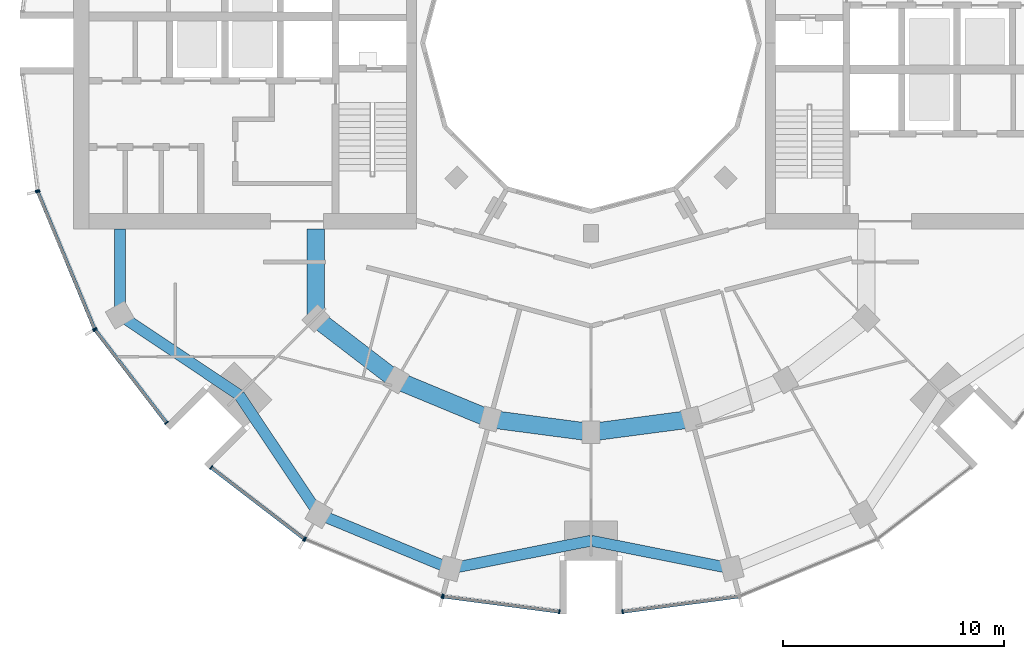
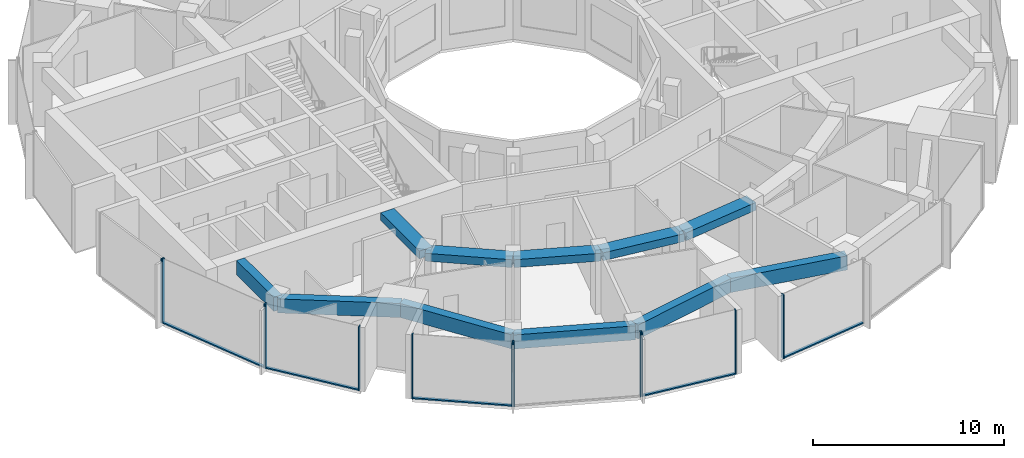
# One storey, part 2 of 15: 17 members, 11 beams, 7 elements without a shape of their own.
"""IFC4 building model written with IfcOpenShell, lengths in metres."""

from ifc_helpers import new_model, si_unit, direction, frame, origin, origin_2d, place, context, subcontext, project, spatial, rectangle, extrude, material, layer, layer_set, material_profile, profile_set, type_object, element, aggregate, save


model = new_model("IFC4")

# Units and contexts
model_context = context("Model", 3, precision=1e-05, world=origin(), true_north=direction((0.0, 1.0)))
body_context = subcontext(model_context, "Body", "Model", "MODEL_VIEW")
ifc_project = project(units=[si_unit("LENGTHUNIT", "METRE"), si_unit("AREAUNIT", "SQUARE_METRE"), si_unit("VOLUMEUNIT", "CUBIC_METRE"), si_unit("PLANEANGLEUNIT", "RADIAN"), si_unit("MASSUNIT", "GRAM", prefix="KILO")], contexts=[model_context])

# Site, building, storey
site_placement = place(None, origin())
site = spatial("IfcSite", under=ifc_project, at=site_placement, CompositionType="ELEMENT")
building_placement = place(site_placement, origin())
building = spatial("IfcBuilding", under=site, at=building_placement, Name="Torre Brocal", CompositionType="ELEMENT")
storey_placement = place(building_placement, frame((0.0, 0.0, 170.0)))
storey = spatial("IfcBuildingStorey", under=building, at=storey_placement, Name="L39", CompositionType="ELEMENT", Elevation=170.0)

# Curtain wall, members
ifc_material_1 = material(Name="Aluminium and glass", Category="aluminium")
ifc_layer_1 = layer(ifc_material_1, 0.199951171875)
ifc_layer_set_1 = layer_set([ifc_layer_1], Name="Aluminium and glass")
curtain_wall_type_1 = type_object("IfcCurtainWallType", Name="CW-1 CURTAIN WALL 4100 HIGH", PredefinedType="NOTDEFINED", material=ifc_layer_set_1)
curtain_wall_1_placement = place(storey_placement, origin())
curtain_wall_1 = element("IfcCurtainWall", 1, at=curtain_wall_1_placement, inside=storey, type_object=curtain_wall_type_1, Name="CW-1 RUN 14", PredefinedType="NOTDEFINED")
ifc_material_2 = material(Name="Aluminium, dark anodised", Category="aluminium")
ifc_material_profile_1 = material_profile(ifc_material_2, rectangle(XDim=0.199951171875, YDim=0.06005859375, at=origin_2d()), Name="CW-1 MULLION 60X200")
ifc_profile_set_1 = profile_set([ifc_material_profile_1], Name="Aluminium, dark anodised")
member_type_1 = type_object("IfcMemberType", Name="CW-1 MULLION 60X200", PredefinedType="MULLION", material=ifc_profile_set_1)
member_1_placement = place(storey_placement, frame((54.994873046875, 68.26904296875, 0.0), z_axis=(0.0, 0.0, 1.0), x_axis=(0.923879532525, 0.382683432333, 0.0)))
member_1 = element("IfcMember", 2, at=member_1_placement, type_object=member_type_1, Name="CW1-4 mullion 1", PredefinedType="MULLION", context=body_context, shape_type="SweptSolid", body=[
    extrude(rectangle(XDim=0.199951171875, YDim=0.06005859375, at=origin_2d()), origin(), (0.0, 0.0, 1.0), 4.10009765625),
])
member_2_placement = place(storey_placement, frame((57.559326171875, 62.078125, 0.0), z_axis=(0.0, 0.0, 1.0), x_axis=(0.923879532525, 0.382683432333, 0.0)))
member_2 = element("IfcMember", 3, at=member_2_placement, type_object=member_type_1, Name="CW1-4 mullion 2", PredefinedType="MULLION", context=body_context, shape_type="SweptSolid", body=[
    extrude(rectangle(XDim=0.199951171875, YDim=0.06005859375, at=origin_2d()), origin(), (0.0, 0.0, 1.0), 4.10009765625),
])

curtain_wall_2_placement = place(storey_placement, origin())
curtain_wall_2 = element("IfcCurtainWall", 4, at=curtain_wall_2_placement, inside=storey, type_object=curtain_wall_type_1, Name="CW-1 RUN 15", PredefinedType="NOTDEFINED")
member_3_placement = place(storey_placement, frame((57.5888671875, 62.026611328125, 0.0), z_axis=(0.0, 0.0, 1.0), x_axis=(0.793353340259, 0.60876142905, 0.0)))
member_3 = element("IfcMember", 5, at=member_3_placement, type_object=member_type_1, Name="CW1-4 mullion 1", PredefinedType="MULLION", context=body_context, shape_type="SweptSolid", body=[
    extrude(rectangle(XDim=0.199951171875, YDim=0.06005859375, at=origin_2d()), origin(), (0.0, 0.0, 1.0), 4.10009765625),
])
member_4_placement = place(storey_placement, frame((60.80859375, 57.83056640625, 0.0), z_axis=(0.0, 0.0, 1.0), x_axis=(0.793353340259, 0.60876142905, 0.0)))
member_4 = element("IfcMember", 6, at=member_4_placement, type_object=member_type_1, Name="CW1-4 mullion 2", PredefinedType="MULLION", context=body_context, shape_type="SweptSolid", body=[
    extrude(rectangle(XDim=0.199951171875, YDim=0.06005859375, at=origin_2d()), origin(), (0.0, 0.0, 1.0), 4.10009765625),
])

curtain_wall_3_placement = place(storey_placement, origin())
curtain_wall_3 = element("IfcCurtainWall", 7, at=curtain_wall_3_placement, inside=storey, type_object=curtain_wall_type_1, Name="CW-1 RUN 16", PredefinedType="NOTDEFINED")
member_5_placement = place(storey_placement, frame((62.83056640625, 55.80859375, 0.0), z_axis=(0.0, 0.0, 1.0), x_axis=(0.60876142905, 0.793353340259, 0.0)))
member_5 = element("IfcMember", 8, at=member_5_placement, type_object=member_type_1, Name="CW1-4 mullion 1", PredefinedType="MULLION", context=body_context, shape_type="SweptSolid", body=[
    extrude(rectangle(XDim=0.199951171875, YDim=0.06005859375, at=origin_2d()), origin(), (0.0, 0.0, 1.0), 4.10009765625),
])
member_6_placement = place(storey_placement, frame((67.026611328125, 52.5888671875, 0.0), z_axis=(0.0, 0.0, 1.0), x_axis=(0.60876142905, 0.793353340259, 0.0)))
member_6 = element("IfcMember", 9, at=member_6_placement, type_object=member_type_1, Name="CW1-4 mullion 2", PredefinedType="MULLION", context=body_context, shape_type="SweptSolid", body=[
    extrude(rectangle(XDim=0.199951171875, YDim=0.06005859375, at=origin_2d()), origin(), (0.0, 0.0, 1.0), 4.10009765625),
])

curtain_wall_4_placement = place(storey_placement, origin())
curtain_wall_4 = element("IfcCurtainWall", 10, at=curtain_wall_4_placement, inside=storey, type_object=curtain_wall_type_1, Name="CW-1 RUN 17", PredefinedType="NOTDEFINED")
member_7_placement = place(storey_placement, frame((67.078125, 52.559326171875, 0.0), z_axis=(0.0, 0.0, 1.0), x_axis=(0.382683432333, 0.923879532525, 0.0)))
member_7 = element("IfcMember", 11, at=member_7_placement, type_object=member_type_1, Name="CW1-4 mullion 1", PredefinedType="MULLION", context=body_context, shape_type="SweptSolid", body=[
    extrude(rectangle(XDim=0.199951171875, YDim=0.06005859375, at=origin_2d()), origin(), (0.0, 0.0, 1.0), 4.10009765625),
])
member_8_placement = place(storey_placement, frame((73.26904296875, 49.994873046875, 0.0), z_axis=(0.0, 0.0, 1.0), x_axis=(0.382683432333, 0.923879532525, 0.0)))
member_8 = element("IfcMember", 12, at=member_8_placement, type_object=member_type_1, Name="CW1-4 mullion 2", PredefinedType="MULLION", context=body_context, shape_type="SweptSolid", body=[
    extrude(rectangle(XDim=0.199951171875, YDim=0.06005859375, at=origin_2d()), origin(), (0.0, 0.0, 1.0), 4.10009765625),
])
aggregate(curtain_wall_4, [member_7, member_8])

curtain_wall_5_placement = place(storey_placement, origin())
curtain_wall_5 = element("IfcCurtainWall", 13, at=curtain_wall_5_placement, inside=storey, type_object=curtain_wall_type_1, Name="CW-1 RUN 18", PredefinedType="NOTDEFINED")
member_9_placement = place(storey_placement, frame((73.32666015625, 49.9794921875, 0.0), z_axis=(0.0, 0.0, 1.0), x_axis=(0.13052619222, 0.991444861374, 0.0)))
member_9 = element("IfcMember", 14, at=member_9_placement, type_object=member_type_1, Name="CW1-4 mullion 1", PredefinedType="MULLION", context=body_context, shape_type="SweptSolid", body=[
    extrude(rectangle(XDim=0.199951171875, YDim=0.06005859375, at=origin_2d()), origin(), (0.0, 0.0, 1.0), 4.10009765625),
])
member_10_placement = place(storey_placement, frame((78.5703125, 49.2890625, 0.0), z_axis=(0.0, 0.0, 1.0), x_axis=(0.13052619222, 0.991444861374, 0.0)))
member_10 = element("IfcMember", 15, at=member_10_placement, type_object=member_type_1, Name="CW1-4 mullion 2", PredefinedType="MULLION", context=body_context, shape_type="SweptSolid", body=[
    extrude(rectangle(XDim=0.199951171875, YDim=0.06005859375, at=origin_2d()), origin(), (0.0, 0.0, 1.0), 4.10009765625),
])

# Curtain wall, member
curtain_wall_6_placement = place(storey_placement, origin())
curtain_wall_6 = element("IfcCurtainWall", 16, at=curtain_wall_6_placement, inside=storey, type_object=curtain_wall_type_1, Name="CW-1 RUN 19", PredefinedType="NOTDEFINED")
member_11_placement = place(storey_placement, frame((81.4296875, 49.2890625, 0.0), z_axis=(0.0, 0.0, 1.0), x_axis=(-0.13052619222, 0.991444861374, 0.0)))
member_11 = element("IfcMember", 17, at=member_11_placement, type_object=member_type_1, Name="CW1-4 mullion 1", PredefinedType="MULLION", context=body_context, shape_type="SweptSolid", body=[
    extrude(rectangle(XDim=0.199951171875, YDim=0.06005859375, at=origin_2d()), origin(), (0.0, 0.0, 1.0), 4.10009765625),
])

# Member
ifc_material_3 = material(Name="Aluminium, dark anodised", Category="aluminium")
ifc_material_profile_2 = material_profile(ifc_material_3, rectangle(XDim=0.159912109375, YDim=0.080078125, at=origin_2d()), Name="CW-1 TRANSOM 160X80")
ifc_profile_set_2 = profile_set([ifc_material_profile_2], Name="Aluminium, dark anodised")
member_type_2 = type_object("IfcMemberType", Name="CW-1 TRANSOM 160X80", PredefinedType="USERDEFINED", material=ifc_profile_set_2)
member_12_placement = place(storey_placement, frame((55.00634765625, 68.241455078125, 0.0400390625), z_axis=(0.38266457234, -0.923887344364, 0.0), x_axis=(0.923887344364, 0.38266457234, 0.0)))
member_12 = element("IfcMember", 18, at=member_12_placement, type_object=member_type_2, Name="CW1-4 transom 1.1", ObjectType="TRANSOM", PredefinedType="USERDEFINED", context=body_context, shape_type="SweptSolid", body=[
    extrude(rectangle(XDim=0.159912109375, YDim=0.080078125, at=origin_2d()), origin(), (0.0, 0.0, 1.0), 6.640869140625),
])

aggregate(curtain_wall_1, [member_1, member_2, member_12])

member_13_placement = place(storey_placement, frame((57.607177734375, 62.0029296875, 0.0400390625), z_axis=(0.60874908096, -0.79336281513, 0.0), x_axis=(0.79336281513, 0.60874908096, 0.0)))
member_13 = element("IfcMember", 19, at=member_13_placement, type_object=member_type_2, Name="CW1-4 transom 1.1", ObjectType="TRANSOM", PredefinedType="USERDEFINED", context=body_context, shape_type="SweptSolid", body=[
    extrude(rectangle(XDim=0.159912109375, YDim=0.080078125, at=origin_2d()), origin(), (0.0, 0.0, 1.0), 5.22900390625),
])

aggregate(curtain_wall_2, [member_3, member_4, member_13])

member_14_placement = place(storey_placement, frame((62.8544921875, 55.790283203125, 0.0400390625), z_axis=(0.79336281513, -0.60874908096, 0.0), x_axis=(0.60874908096, 0.79336281513, 0.0)))
member_14 = element("IfcMember", 20, at=member_14_placement, type_object=member_type_2, Name="CW1-4 transom 1.1", ObjectType="TRANSOM", PredefinedType="USERDEFINED", context=body_context, shape_type="SweptSolid", body=[
    extrude(rectangle(XDim=0.159912109375, YDim=0.080078125, at=origin_2d()), origin(), (0.0, 0.0, 1.0), 5.22900390625),
])

aggregate(curtain_wall_3, [member_5, member_6, member_14])

member_15_placement = place(storey_placement, frame((73.356201171875, 49.9755859375, 0.0400390625), z_axis=(0.991442690863, -0.130542677827, 0.0), x_axis=(0.130542677827, 0.991442690863, 0.0)))
member_15 = element("IfcMember", 21, at=member_15_placement, type_object=member_type_2, Name="CW1-4 transom 1.1", ObjectType="TRANSOM", PredefinedType="USERDEFINED", context=body_context, shape_type="SweptSolid", body=[
    extrude(rectangle(XDim=0.159912109375, YDim=0.080078125, at=origin_2d()), origin(), (0.0, 0.0, 1.0), 5.22900390625),
])

aggregate(curtain_wall_5, [member_9, member_10, member_15])

member_16_placement = place(storey_placement, frame((81.45947265625, 49.29296875, 0.0400390625), z_axis=(0.991442690863, 0.130542677827, 0.0), x_axis=(-0.130542677827, 0.991442690863, 0.0)))
member_16 = element("IfcMember", 22, at=member_16_placement, type_object=member_type_2, Name="CW1-4 transom 1.1", ObjectType="TRANSOM", PredefinedType="USERDEFINED", context=body_context, shape_type="SweptSolid", body=[
    extrude(rectangle(XDim=0.159912109375, YDim=0.080078125, at=origin_2d()), origin(), (0.0, 0.0, 1.0), 5.22900390625),
])

aggregate(curtain_wall_6, [member_11, member_16])

# Curtain wall, member
ifc_material_4 = material(Name="Aluminium and glass", Category="aluminium")
ifc_layer_2 = layer(ifc_material_4, 0.199951171875)
ifc_layer_set_2 = layer_set([ifc_layer_2], Name="Aluminium and glass")
curtain_wall_type_2 = type_object("IfcCurtainWallType", Name="CW-1B CURTAIN WALL 4100 HIGH", PredefinedType="NOTDEFINED", material=ifc_layer_set_2)
curtain_wall_7_placement = place(storey_placement, origin())
curtain_wall_7 = element("IfcCurtainWall", 23, at=curtain_wall_7_placement, inside=storey, type_object=curtain_wall_type_2, Name="CW-1B RUN 13", PredefinedType="NOTDEFINED")
ifc_material_5 = material(Name="Aluminium, dark anodised", Category="aluminium")
ifc_material_profile_3 = material_profile(ifc_material_5, rectangle(XDim=0.199951171875, YDim=0.06005859375, at=origin_2d()), Name="CW-1B MULLION 60X200")
ifc_profile_set_3 = profile_set([ifc_material_profile_3], Name="Aluminium, dark anodised")
member_type_3 = type_object("IfcMemberType", Name="CW-1B MULLION 60X200", PredefinedType="MULLION", material=ifc_profile_set_3)
member_17_placement = place(storey_placement, frame((54.9794921875, 68.32666015625, 0.0), z_axis=(0.0, 0.0, 1.0), x_axis=(0.991444861374, 0.13052619222, 0.0)))
member_17 = element("IfcMember", 24, at=member_17_placement, type_object=member_type_3, Name="CW1B-4 mullion 2", PredefinedType="MULLION", context=body_context, shape_type="SweptSolid", body=[
    extrude(rectangle(XDim=0.199951171875, YDim=0.06005859375, at=origin_2d()), origin(), (0.0, 0.0, 1.0), 4.10009765625),
])
aggregate(curtain_wall_7, [member_17])

# Beams
ifc_material_6 = material(Name="Concrete C50", Category="concrete")
ifc_material_profile_4 = material_profile(ifc_material_6, rectangle(XDim=0.800048828125, YDim=0.5, at=origin_2d()), Name="RC 800X500")
ifc_profile_set_4 = profile_set([ifc_material_profile_4], Name="Concrete C50")
beam_type_1 = type_object("IfcBeamType", Name="RC BEAM 800X500 C50 TOP 3780", PredefinedType="BEAM", material=ifc_profile_set_4)
beam_1_placement = place(storey_placement, frame((67.554931640625, 62.554931640625, 3.530029296875), z_axis=(0.0, 1.0, 0.0), x_axis=(-1.0, 0.0, 0.0)))
element("IfcBeam", 25, at=beam_1_placement, inside=storey, type_object=beam_type_1, Name="Beam BT-32", PredefinedType="BEAM", context=body_context, shape_type="SweptSolid", body=[
    extrude(rectangle(XDim=0.800048828125, YDim=0.5, at=origin_2d()), origin(), (0.0, 0.0, 1.0), 4.045166015625),
])
beam_2_placement = place(storey_placement, frame((67.554931640625, 62.554931640625, 3.530029296875), z_axis=(0.793358265959, -0.6087550097, 0.0), x_axis=(0.6087550097, 0.793358265959, 0.0)))
element("IfcBeam", 26, at=beam_2_placement, inside=storey, type_object=beam_type_1, Name="Beam BT-32", PredefinedType="BEAM", context=body_context, shape_type="SweptSolid", body=[
    extrude(rectangle(XDim=0.800048828125, YDim=0.5, at=origin_2d()), origin(), (0.0, 0.0, 1.0), 4.594482421875),
])
beam_3_placement = place(storey_placement, frame((71.199951171875, 59.758056640625, 3.530029296875), z_axis=(0.923878240166, -0.382686552348, 0.0), x_axis=(0.382686552348, 0.923878240166, 0.0)))
element("IfcBeam", 27, at=beam_3_placement, inside=storey, type_object=beam_type_1, Name="Beam BT-32", PredefinedType="BEAM", context=body_context, shape_type="SweptSolid", body=[
    extrude(rectangle(XDim=0.800048828125, YDim=0.5, at=origin_2d()), origin(), (0.0, 0.0, 1.0), 4.5947265625),
])
for number, where, z_axis, x_axis, name in (
    (28, (75.44482421875, 57.999755859375, 3.530029296875), (0.991440544449, -0.130558978332, 0.0), (0.130558978332, 0.991440544449, 0.0), "Beam BT-32"),
    (29, (80.0, 57.39990234375, 3.530029296875), (0.991440544449, 0.130558978332, 0.0), (-0.130558978332, 0.991440544449, 0.0), "Beam BT-32"),
):
    element("IfcBeam", number, at=place(storey_placement, frame(where, z_axis=z_axis, x_axis=x_axis)), inside=storey, type_object=beam_type_1, Name=name, PredefinedType="BEAM", context=body_context, shape_type="SweptSolid", body=[
        extrude(rectangle(XDim=0.800048828125, YDim=0.5, at=origin_2d()), origin(), (0.0, 0.0, 1.0), 4.594482421875),
    ])
ifc_material_7 = material(Name="Concrete C50", Category="concrete")
ifc_material_profile_5 = material_profile(ifc_material_7, rectangle(XDim=0.5, YDim=0.89990234375, at=origin_2d()), Name="RC 500X900")
ifc_profile_set_5 = profile_set([ifc_material_profile_5], Name="Concrete C50")
beam_type_2 = type_object("IfcBeamType", Name="RC SPANDREL BEAM 500X900 C50 TOP 3780", PredefinedType="SPANDREL", material=ifc_profile_set_5)
beam_4_placement = place(storey_placement, frame((58.69580078125, 62.699951171875, 3.330078125), z_axis=(0.0, 1.0, 0.0), x_axis=(-1.0, 0.0, 0.0)))
element("IfcBeam", 30, at=beam_4_placement, inside=storey, type_object=beam_type_2, Name="Beam BT-33", PredefinedType="SPANDREL", context=body_context, shape_type="SweptSolid", body=[
    extrude(rectangle(XDim=0.5, YDim=0.89990234375, at=origin_2d()), origin(), (0.0, 0.0, 1.0), 3.900146484375),
])
for number, where, z_axis, x_axis, name in (
    (31, (58.69580078125, 62.699951171875, 3.330078125), (0.831076844476, -0.556157602282, 0.0), (0.556157602282, 0.831076844476, 0.0), "Beam BT-33"),
    (32, (64.090087890625, 59.090087890625, 3.330078125), (0.556157602282, -0.831076844476, 0.0), (0.831076844476, 0.556157602282, 0.0), "Beam BT-33"),
):
    element("IfcBeam", number, at=place(storey_placement, frame(where, z_axis=z_axis, x_axis=x_axis)), inside=storey, type_object=beam_type_2, Name=name, PredefinedType="SPANDREL", context=body_context, shape_type="SweptSolid", body=[
        extrude(rectangle(XDim=0.5, YDim=0.89990234375, at=origin_2d()), origin(), (0.0, 0.0, 1.0), 6.49072265625),
    ])
beam_5_placement = place(storey_placement, frame((67.699951171875, 53.69580078125, 3.330078125), z_axis=(0.923882462513, -0.382676358639, 0.0), x_axis=(0.382676358639, 0.923882462513, 0.0)))
element("IfcBeam", 33, at=beam_5_placement, inside=storey, type_object=beam_type_2, Name="Beam BT-33", PredefinedType="SPANDREL", context=body_context, shape_type="SweptSolid", body=[
    extrude(rectangle(XDim=0.5, YDim=0.89990234375, at=origin_2d()), origin(), (0.0, 0.0, 1.0), 6.421875),
])
for number, where, z_axis, x_axis, name in (
    (34, (73.633056640625, 51.23828125, 3.330078125), (0.980924907484, 0.194387051723, 0.0), (-0.194387051723, 0.980924907484, 0.0), "Beam BT-33"),
    (35, (80.0, 52.5, 3.330078125), (0.980924907484, -0.194387051723, 0.0), (0.194387051723, 0.980924907484, 0.0), "Beam BT-33"),
):
    element("IfcBeam", number, at=place(storey_placement, frame(where, z_axis=z_axis, x_axis=x_axis)), inside=storey, type_object=beam_type_2, Name=name, PredefinedType="SPANDREL", context=body_context, shape_type="SweptSolid", body=[
        extrude(rectangle(XDim=0.5, YDim=0.89990234375, at=origin_2d()), origin(), (0.0, 0.0, 1.0), 6.49072265625),
    ])

save(model, "model.ifc")
